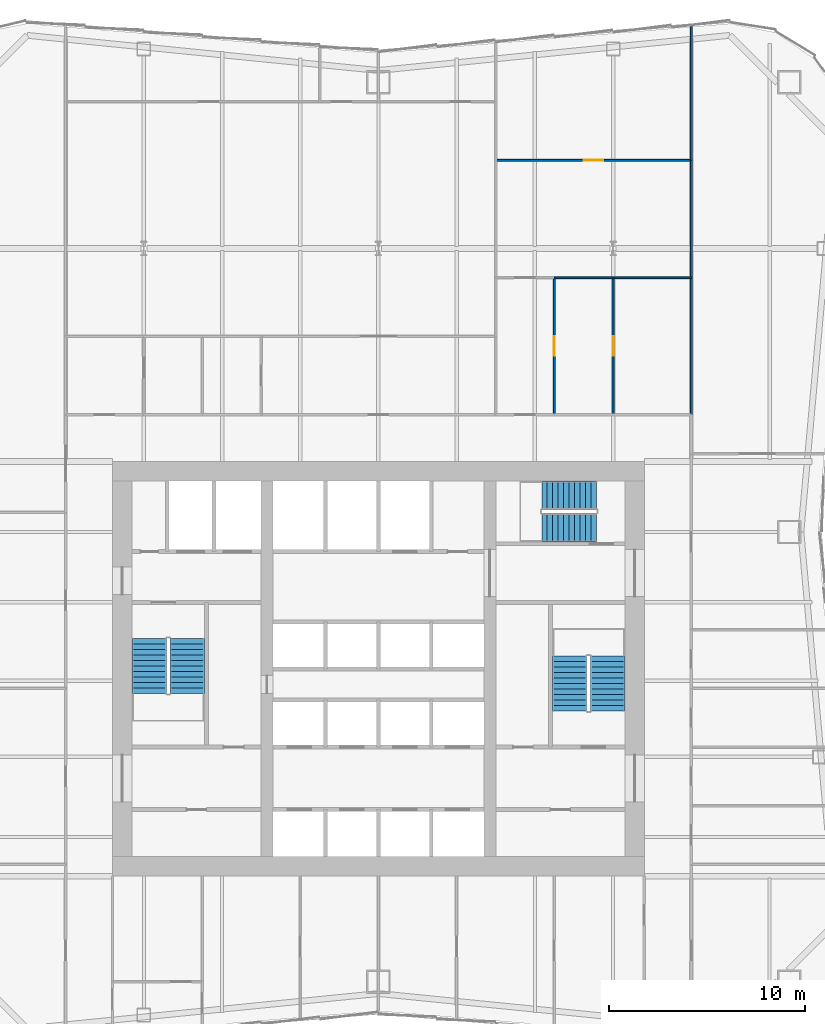
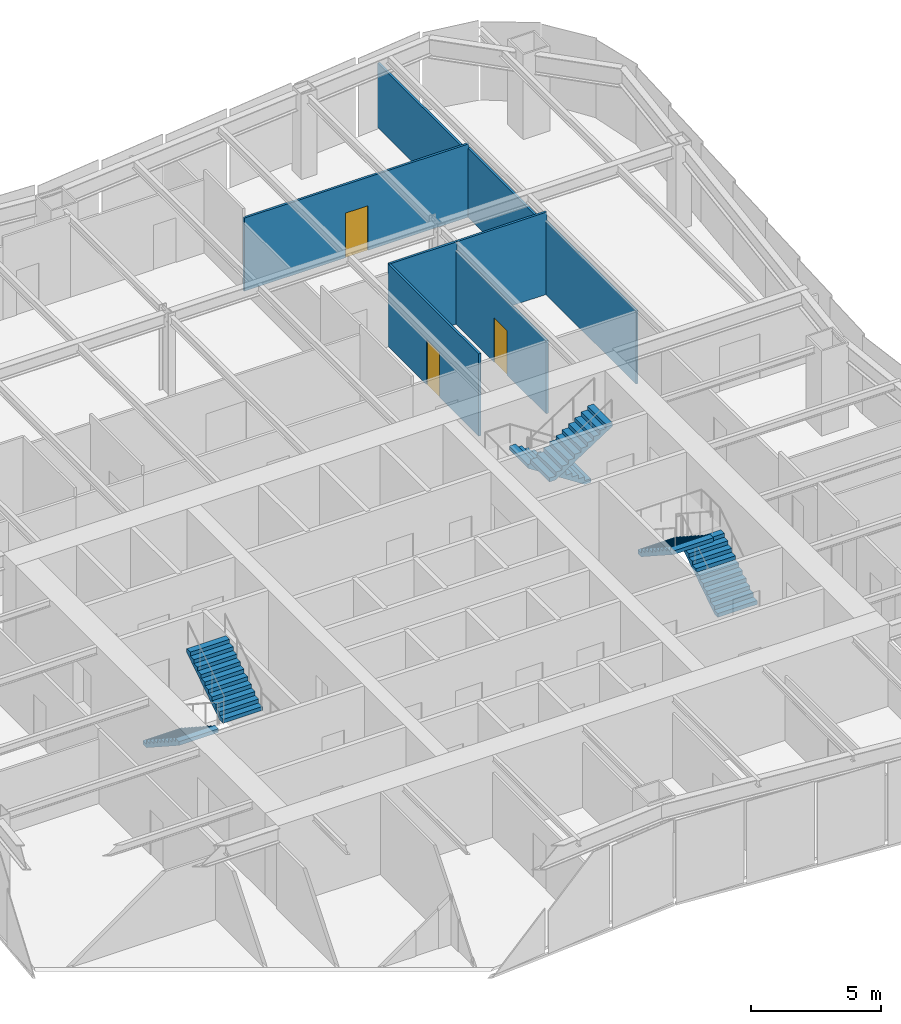
# One storey, part 7 of 8: 8 walls, 6 stair flights, 3 doors, 3 openings, 3 elements without a shape of their own.
"""IFC4 building model written with IfcOpenShell, lengths in metres."""

from ifc_helpers import new_model, si_unit, direction, frame, frame_2d, origin, place, context, subcontext, project, spatial, polyline, rectangle, outline, extrude, material, layer, layer_set, type_object, element, fill, aggregate, save


model = new_model("IFC4")

# Units and contexts
model_context = context("Model", 3, precision=1e-05, world=origin(), true_north=direction((0.0, 1.0)))
body_context = subcontext(model_context, "Body", "Model", "MODEL_VIEW")
ifc_project = project(units=[si_unit("LENGTHUNIT", "METRE"), si_unit("AREAUNIT", "SQUARE_METRE"), si_unit("VOLUMEUNIT", "CUBIC_METRE"), si_unit("PLANEANGLEUNIT", "RADIAN"), si_unit("MASSUNIT", "GRAM", prefix="KILO")], contexts=[model_context])

# Site, building, storey
site_placement = place(None, origin())
site = spatial("IfcSite", under=ifc_project, at=site_placement, CompositionType="ELEMENT")
building_placement = place(site_placement, origin())
building = spatial("IfcBuilding", under=site, at=building_placement, Name="Verdant Reach Tower", CompositionType="ELEMENT")
storey_placement = place(building_placement, frame((0.0, 0.0, 158.0)))
storey = spatial("IfcBuildingStorey", under=building, at=storey_placement, Name="L36", CompositionType="ELEMENT", Elevation=158.0)

# Walls
ifc_material_1 = material(Name="Gypsum board on steel studs", Category="steel")
ifc_layer = layer(ifc_material_1, 0.10009765625)
ifc_layer_set = layer_set([ifc_layer], Name="FL-W1 Partition 100")
wall_type = type_object("IfcWallType", Name="FL-W1 Partition 100", PredefinedType="PARTITIONING", material=ifc_layer_set)
wall_1_placement = place(storey_placement, frame((16.0, 48.0, 0.0), z_axis=(0.0, 0.0, 1.0), x_axis=(0.0, -1.0, 0.0)))
element("IfcWall", 1, at=wall_1_placement, inside=storey, type_object=wall_type, Name="Partition 36.34", PredefinedType="PARTITIONING", context=body_context, shape_type="SweptSolid", body=[
    extrude(rectangle(XDim=7.0, YDim=0.10009765625, at=frame_2d((3.5, 0.0))), origin(), (0.0, 0.0, 1.0), 3.43994140625),
])
wall_2_placement = place(storey_placement, frame((16.0, 54.0, 0.0), z_axis=(0.0, 0.0, 1.0), x_axis=(0.0, -1.0, 0.0)))
element("IfcWall", 2, at=wall_2_placement, inside=storey, type_object=wall_type, Name="Partition 36.35", PredefinedType="PARTITIONING", context=body_context, shape_type="SweptSolid", body=[
    extrude(rectangle(XDim=6.0, YDim=0.10009765625, at=frame_2d((3.0, 0.0))), origin(), (0.0, 0.0, 1.0), 3.239990234375),
])
wall_3_placement = place(storey_placement, frame((16.0, 60.913330078125, 0.0), z_axis=(0.0, 0.0, 1.0), x_axis=(0.0, -1.0, 0.0)))
element("IfcWall", 3, at=wall_3_placement, inside=storey, type_object=wall_type, Name="Partition 36.36", PredefinedType="PARTITIONING", context=body_context, shape_type="SweptSolid", body=[
    extrude(rectangle(XDim=6.913330078125, YDim=0.10009765625, at=frame_2d((3.45654296875, 0.0))), origin(), (0.0, 0.0, 1.0), 3.0400390625),
])

# Wall, opening, door
wall_4_placement = place(storey_placement, frame((9.0, 48.0, 0.0), z_axis=(0.0, 0.0, 1.0), x_axis=(0.0, -1.0, 0.0)))
wall_4 = element("IfcWall", 4, at=wall_4_placement, inside=storey, type_object=wall_type, Name="Partition 36.61", PredefinedType="PARTITIONING", context=body_context, shape_type="SweptSolid", body=[
    extrude(rectangle(XDim=7.0, YDim=0.10009765625, at=frame_2d((3.5, 0.0))), origin(), (0.0, 0.0, 1.0), 3.8701171875),
])
opening_1_placement = place(wall_4_placement, frame((3.0, 0.0, 0.0)))
opening_1 = element("IfcOpeningElement", 5, at=opening_1_placement, cuts=wall_4, Name="Opening D3", PredefinedType="OPENING", context=body_context, shape_type="SweptSolid", body=[
    extrude(rectangle(XDim=1.0, YDim=2.10009765625, at=frame_2d((0.5, 1.050048828125))), frame((0.0, 0.06005859375, 0.0), z_axis=(0.0, -1.0, 0.0), x_axis=(1.0, 0.0, 0.0)), (0.0, 0.0, 1.0), 0.1201171875),
])
ifc_material_2 = material(Name="Painted timber door leaf", Category="wood")
door_type = type_object("IfcDoorType", Name="FL-D3 Door 1000x2100", OperationType="NOTDEFINED", PredefinedType="DOOR", material=ifc_material_2)
door_1_placement = place(opening_1_placement, origin())
door_1 = element("IfcDoor", 6, at=door_1_placement, inside=storey, type_object=door_type, Name="Door 36-028", OperationType="SINGLE_SWING_RIGHT", OverallHeight=2.10009765625, OverallWidth=1.0, PredefinedType="DOOR", context=body_context, shape_type="SweptSolid", body=[
    extrude(rectangle(XDim=1.0, YDim=2.10009765625, at=frame_2d((0.5, 1.050048828125))), frame((0.0, 0.02490234375, 0.0), z_axis=(0.0, -1.0, 0.0), x_axis=(1.0, 0.0, 0.0)), (0.0, 0.0, 1.0), 0.050048828125),
])
fill(opening_1, door_1)

wall_5_placement = place(storey_placement, frame((12.0, 48.0, 0.0), z_axis=(0.0, 0.0, 1.0), x_axis=(0.0, -1.0, 0.0)))
wall_5 = element("IfcWall", 7, at=wall_5_placement, inside=storey, type_object=wall_type, Name="Partition 36.63", PredefinedType="PARTITIONING", context=body_context, shape_type="SweptSolid", body=[
    extrude(rectangle(XDim=7.0, YDim=0.10009765625, at=frame_2d((3.5, 0.0))), origin(), (0.0, 0.0, 1.0), 3.43994140625),
])
opening_2_placement = place(wall_5_placement, frame((3.0, 0.0, 0.0)))
opening_2 = element("IfcOpeningElement", 8, at=opening_2_placement, cuts=wall_5, Name="Opening D3", PredefinedType="OPENING", context=body_context, shape_type="SweptSolid", body=[
    extrude(rectangle(XDim=1.0, YDim=2.10009765625, at=frame_2d((0.5, 1.050048828125))), frame((0.0, 0.06005859375, 0.0), z_axis=(0.0, -1.0, 0.0), x_axis=(1.0, 0.0, 0.0)), (0.0, 0.0, 1.0), 0.1201171875),
])
door_2_placement = place(opening_2_placement, origin())
door_2 = element("IfcDoor", 9, at=door_2_placement, inside=storey, type_object=door_type, Name="Door 36-030", OperationType="SINGLE_SWING_RIGHT", OverallHeight=2.10009765625, OverallWidth=1.0, PredefinedType="DOOR", context=body_context, shape_type="SweptSolid", body=[
    extrude(rectangle(XDim=1.0, YDim=2.10009765625, at=frame_2d((0.5, 1.050048828125))), frame((0.0, 0.02490234375, 0.0), z_axis=(0.0, -1.0, 0.0), x_axis=(1.0, 0.0, 0.0)), (0.0, 0.0, 1.0), 0.050048828125),
])
fill(opening_2, door_2)

# Walls
wall_6_placement = place(storey_placement, frame((12.00390625, 48.0, 0.0), z_axis=(0.0, 0.0, 1.0), x_axis=(-1.0, 0.0, 0.0)))
element("IfcWall", 10, at=wall_6_placement, inside=storey, type_object=wall_type, Name="Partition 36.64", PredefinedType="PARTITIONING", context=body_context, shape_type="SweptSolid", body=[
    extrude(rectangle(XDim=3.0078125, YDim=0.10009765625, at=frame_2d((1.50390625, 0.0))), origin(), (0.0, 0.0, 1.0), 3.8701171875),
])
wall_7_placement = place(storey_placement, frame((16.0, 48.0, 0.0), z_axis=(0.0, 0.0, 1.0), x_axis=(-1.0, 0.0, 0.0)))
element("IfcWall", 11, at=wall_7_placement, inside=storey, type_object=wall_type, Name="Partition 36.65", PredefinedType="PARTITIONING", context=body_context, shape_type="SweptSolid", body=[
    extrude(rectangle(XDim=4.00390625, YDim=0.10009765625, at=frame_2d((2.001953125, 0.0))), origin(), (0.0, 0.0, 1.0), 3.8701171875),
])

# Wall, opening, door
wall_8_placement = place(storey_placement, frame((6.0, 54.0, 0.0), z_axis=(0.0, 0.0, 1.0), x_axis=(1.0, 0.0, 0.0)))
wall_8 = element("IfcWall", 12, at=wall_8_placement, inside=storey, type_object=wall_type, Name="Partition 36.66", PredefinedType="PARTITIONING", context=body_context, shape_type="SweptSolid", body=[
    extrude(rectangle(XDim=10.0, YDim=0.10009765625, at=frame_2d((5.0, 0.0))), origin(), (0.0, 0.0, 1.0), 3.43994140625),
])
opening_3_placement = place(wall_8_placement, frame((4.5, 0.0, 0.0)))
opening_3 = element("IfcOpeningElement", 13, at=opening_3_placement, cuts=wall_8, Name="Opening D3", PredefinedType="OPENING", context=body_context, shape_type="SweptSolid", body=[
    extrude(rectangle(XDim=1.0, YDim=2.10009765625, at=frame_2d((0.5, 1.050048828125))), frame((0.0, 0.06005859375, 0.0), z_axis=(0.0, -1.0, 0.0), x_axis=(1.0, 0.0, 0.0)), (0.0, 0.0, 1.0), 0.1201171875),
])
door_3_placement = place(opening_3_placement, origin())
door_3 = element("IfcDoor", 14, at=door_3_placement, inside=storey, type_object=door_type, Name="Door 36-031", OperationType="SINGLE_SWING_LEFT", OverallHeight=2.10009765625, OverallWidth=1.0, PredefinedType="DOOR", context=body_context, shape_type="SweptSolid", body=[
    extrude(rectangle(XDim=1.0, YDim=2.10009765625, at=frame_2d((0.5, 1.050048828125))), frame((0.0, 0.02490234375, 0.0), z_axis=(0.0, -1.0, 0.0), x_axis=(1.0, 0.0, 0.0)), (0.0, 0.0, 1.0), 0.050048828125),
])
fill(opening_3, door_3)

# Stair, stair flights
ifc_material_3 = material(Name="Concrete C40/50", Category="concrete")
stair_type = type_object("IfcStairType", Name="CO-STAIR", PredefinedType="HALF_TURN_STAIR", material=ifc_material_3)
stair_1_placement = place(storey_placement, origin())
stair_1 = element("IfcStair", 15, at=stair_1_placement, inside=storey, type_object=stair_type, Name="L36 Exit stair 1", PredefinedType="HALF_TURN_STAIR")
stair_flight_type = type_object("IfcStairFlightType", Name="CO-STAIR-FLIGHT", PredefinedType="STRAIGHT", material=ifc_material_3)
stair_flight_1_placement = place(storey_placement, frame((-11.72509765625, 29.550048828125, 0.0), z_axis=(0.0, 0.0, 1.0), x_axis=(0.0, -1.0, 0.0)))
stair_flight_1 = element("IfcStairFlight", 16, at=stair_flight_1_placement, type_object=stair_flight_type, Name="ST-1 flight 1", NumberOfRisers=11, NumberOfTreads=10, PredefinedType="STRAIGHT", RiserHeight=0.181818182, TreadLength=0.28, context=body_context, shape_type="SweptSolid", body=[
    extrude(outline(polyline([(0.0, 0.0), (0.0, 0.181884765625), (0.280029296875, 0.181884765625), (0.280029296875, 0.363525390625), (0.56005859375, 0.363525390625), (0.56005859375, 0.54541015625), (0.840087890625, 0.54541015625), (0.840087890625, 0.727294921875), (1.1201171875, 0.727294921875), (1.1201171875, 0.9091796875), (1.39990234375, 0.9091796875), (1.39990234375, 1.0908203125), (1.679931640625, 1.0908203125), (1.679931640625, 1.272705078125), (1.9599609375, 1.272705078125), (1.9599609375, 1.45458984375), (2.239990234375, 1.45458984375), (2.239990234375, 1.636474609375), (2.52001953125, 1.636474609375), (2.52001953125, 1.818115234375), (2.800048828125, 1.818115234375), (2.800048828125, 2.0), (2.800048828125, 1.639404296875), (0.275146484375, 0.0), (0.0, 0.0)])), frame((0.0, 0.875, 0.0), z_axis=(0.0, -1.0, 0.0), x_axis=(1.0, 0.0, 0.0)), (0.0, 0.0, 1.0), 1.75),
])
stair_flight_2_placement = place(storey_placement, frame((-9.77490234375, 26.75, 2.0), z_axis=(0.0, 0.0, 1.0), x_axis=(0.0, 1.0, 0.0)))
stair_flight_2 = element("IfcStairFlight", 17, at=stair_flight_2_placement, type_object=stair_flight_type, Name="ST-1 flight 2", NumberOfRisers=11, NumberOfTreads=10, PredefinedType="STRAIGHT", RiserHeight=0.181818182, TreadLength=0.28, context=body_context, shape_type="SweptSolid", body=[
    extrude(outline(polyline([(0.0, 0.0), (0.0, 0.181884765625), (0.280029296875, 0.181884765625), (0.280029296875, 0.363525390625), (0.56005859375, 0.363525390625), (0.56005859375, 0.54541015625), (0.840087890625, 0.54541015625), (0.840087890625, 0.727294921875), (1.1201171875, 0.727294921875), (1.1201171875, 0.9091796875), (1.39990234375, 0.9091796875), (1.39990234375, 1.0908203125), (1.679931640625, 1.0908203125), (1.679931640625, 1.272705078125), (1.9599609375, 1.272705078125), (1.9599609375, 1.45458984375), (2.239990234375, 1.45458984375), (2.239990234375, 1.636474609375), (2.52001953125, 1.636474609375), (2.52001953125, 1.818115234375), (2.800048828125, 1.818115234375), (2.800048828125, 2.0), (2.800048828125, 1.639404296875), (0.275146484375, 0.0), (0.0, 0.0)])), frame((0.0, 0.875, 0.0), z_axis=(0.0, -1.0, 0.0), x_axis=(1.0, 0.0, 0.0)), (0.0, 0.0, 1.0), 1.75),
])
aggregate(stair_1, [stair_flight_1, stair_flight_2])

stair_2_placement = place(storey_placement, origin())
stair_2 = element("IfcStair", 18, at=stair_2_placement, inside=storey, type_object=stair_type, Name="L36 Exit stair 2", PredefinedType="HALF_TURN_STAIR")
stair_flight_3_placement = place(storey_placement, frame((11.72509765625, 25.85009765625, 0.0), z_axis=(0.0, 0.0, 1.0), x_axis=(0.0, 1.0, 0.0)))
stair_flight_3 = element("IfcStairFlight", 19, at=stair_flight_3_placement, type_object=stair_flight_type, Name="ST-2 flight 1", NumberOfRisers=11, NumberOfTreads=10, PredefinedType="STRAIGHT", RiserHeight=0.181818182, TreadLength=0.28, context=body_context, shape_type="SweptSolid", body=[
    extrude(outline(polyline([(0.0, 0.0), (0.0, 0.181884765625), (0.280029296875, 0.181884765625), (0.280029296875, 0.363525390625), (0.56005859375, 0.363525390625), (0.56005859375, 0.54541015625), (0.840087890625, 0.54541015625), (0.840087890625, 0.727294921875), (1.1201171875, 0.727294921875), (1.1201171875, 0.9091796875), (1.39990234375, 0.9091796875), (1.39990234375, 1.0908203125), (1.679931640625, 1.0908203125), (1.679931640625, 1.272705078125), (1.9599609375, 1.272705078125), (1.9599609375, 1.45458984375), (2.239990234375, 1.45458984375), (2.239990234375, 1.636474609375), (2.52001953125, 1.636474609375), (2.52001953125, 1.818115234375), (2.800048828125, 1.818115234375), (2.800048828125, 2.0), (2.800048828125, 1.639404296875), (0.275146484375, 0.0), (0.0, 0.0)])), frame((0.0, 0.875, 0.0), z_axis=(0.0, -1.0, 0.0), x_axis=(1.0, 0.0, 0.0)), (0.0, 0.0, 1.0), 1.75),
])
stair_flight_4_placement = place(storey_placement, frame((9.77490234375, 28.64990234375, 2.0), z_axis=(0.0, 0.0, 1.0), x_axis=(0.0, -1.0, 0.0)))
stair_flight_4 = element("IfcStairFlight", 20, at=stair_flight_4_placement, type_object=stair_flight_type, Name="ST-2 flight 2", NumberOfRisers=11, NumberOfTreads=10, PredefinedType="STRAIGHT", RiserHeight=0.181818182, TreadLength=0.28, context=body_context, shape_type="SweptSolid", body=[
    extrude(outline(polyline([(0.0, 0.0), (0.0, 0.181884765625), (0.280029296875, 0.181884765625), (0.280029296875, 0.363525390625), (0.56005859375, 0.363525390625), (0.56005859375, 0.54541015625), (0.840087890625, 0.54541015625), (0.840087890625, 0.727294921875), (1.1201171875, 0.727294921875), (1.1201171875, 0.9091796875), (1.39990234375, 0.9091796875), (1.39990234375, 1.0908203125), (1.679931640625, 1.0908203125), (1.679931640625, 1.272705078125), (1.9599609375, 1.272705078125), (1.9599609375, 1.45458984375), (2.239990234375, 1.45458984375), (2.239990234375, 1.636474609375), (2.52001953125, 1.636474609375), (2.52001953125, 1.818115234375), (2.800048828125, 1.818115234375), (2.800048828125, 2.0), (2.800048828125, 1.639404296875), (0.275146484375, 0.0), (0.0, 0.0)])), frame((0.0, 0.875, 0.0), z_axis=(0.0, -1.0, 0.0), x_axis=(1.0, 0.0, 0.0)), (0.0, 0.0, 1.0), 1.75),
])
aggregate(stair_2, [stair_flight_3, stair_flight_4])

stair_3_placement = place(storey_placement, origin())
stair_3 = element("IfcStair", 21, at=stair_3_placement, inside=storey, type_object=stair_type, Name="L36 Exit stair 3", PredefinedType="HALF_TURN_STAIR")
stair_flight_5_placement = place(storey_placement, frame((11.14990234375, 36.875, 0.0), z_axis=(0.0, 0.0, 1.0), x_axis=(-1.0, 0.0, 0.0)))
stair_flight_5 = element("IfcStairFlight", 22, at=stair_flight_5_placement, type_object=stair_flight_type, Name="ST-3 flight 1", NumberOfRisers=11, NumberOfTreads=10, PredefinedType="STRAIGHT", RiserHeight=0.181818182, TreadLength=0.28, context=body_context, shape_type="SweptSolid", body=[
    extrude(outline(polyline([(0.0, 0.0), (0.0, 0.181884765625), (0.280029296875, 0.181884765625), (0.280029296875, 0.363525390625), (0.56005859375, 0.363525390625), (0.56005859375, 0.54541015625), (0.840087890625, 0.54541015625), (0.840087890625, 0.727294921875), (1.1201171875, 0.727294921875), (1.1201171875, 0.9091796875), (1.39990234375, 0.9091796875), (1.39990234375, 1.0908203125), (1.679931640625, 1.0908203125), (1.679931640625, 1.272705078125), (1.9599609375, 1.272705078125), (1.9599609375, 1.45458984375), (2.239990234375, 1.45458984375), (2.239990234375, 1.636474609375), (2.52001953125, 1.636474609375), (2.52001953125, 1.818115234375), (2.800048828125, 1.818115234375), (2.800048828125, 2.0), (2.800048828125, 1.639404296875), (0.275146484375, 0.0), (0.0, 0.0)])), frame((0.0, 0.72509765625, 0.0), z_axis=(0.0, -1.0, 0.0), x_axis=(1.0, 0.0, 0.0)), (0.0, 0.0, 1.0), 1.449951171875),
])
stair_flight_6_placement = place(storey_placement, frame((8.35009765625, 35.22509765625, 2.0), z_axis=(0.0, 0.0, 1.0), x_axis=(1.0, 0.0, 0.0)))
stair_flight_6 = element("IfcStairFlight", 23, at=stair_flight_6_placement, type_object=stair_flight_type, Name="ST-3 flight 2", NumberOfRisers=11, NumberOfTreads=10, PredefinedType="STRAIGHT", RiserHeight=0.181818182, TreadLength=0.28, context=body_context, shape_type="SweptSolid", body=[
    extrude(outline(polyline([(0.0, 0.0), (0.0, 0.181884765625), (0.280029296875, 0.181884765625), (0.280029296875, 0.363525390625), (0.56005859375, 0.363525390625), (0.56005859375, 0.54541015625), (0.840087890625, 0.54541015625), (0.840087890625, 0.727294921875), (1.1201171875, 0.727294921875), (1.1201171875, 0.9091796875), (1.39990234375, 0.9091796875), (1.39990234375, 1.0908203125), (1.679931640625, 1.0908203125), (1.679931640625, 1.272705078125), (1.9599609375, 1.272705078125), (1.9599609375, 1.45458984375), (2.239990234375, 1.45458984375), (2.239990234375, 1.636474609375), (2.52001953125, 1.636474609375), (2.52001953125, 1.818115234375), (2.800048828125, 1.818115234375), (2.800048828125, 2.0), (2.800048828125, 1.639404296875), (0.275146484375, 0.0), (0.0, 0.0)])), frame((0.0, 0.72509765625, 0.0), z_axis=(0.0, -1.0, 0.0), x_axis=(1.0, 0.0, 0.0)), (0.0, 0.0, 1.0), 1.449951171875),
])
aggregate(stair_3, [stair_flight_5, stair_flight_6])

save(model, "model.ifc")
